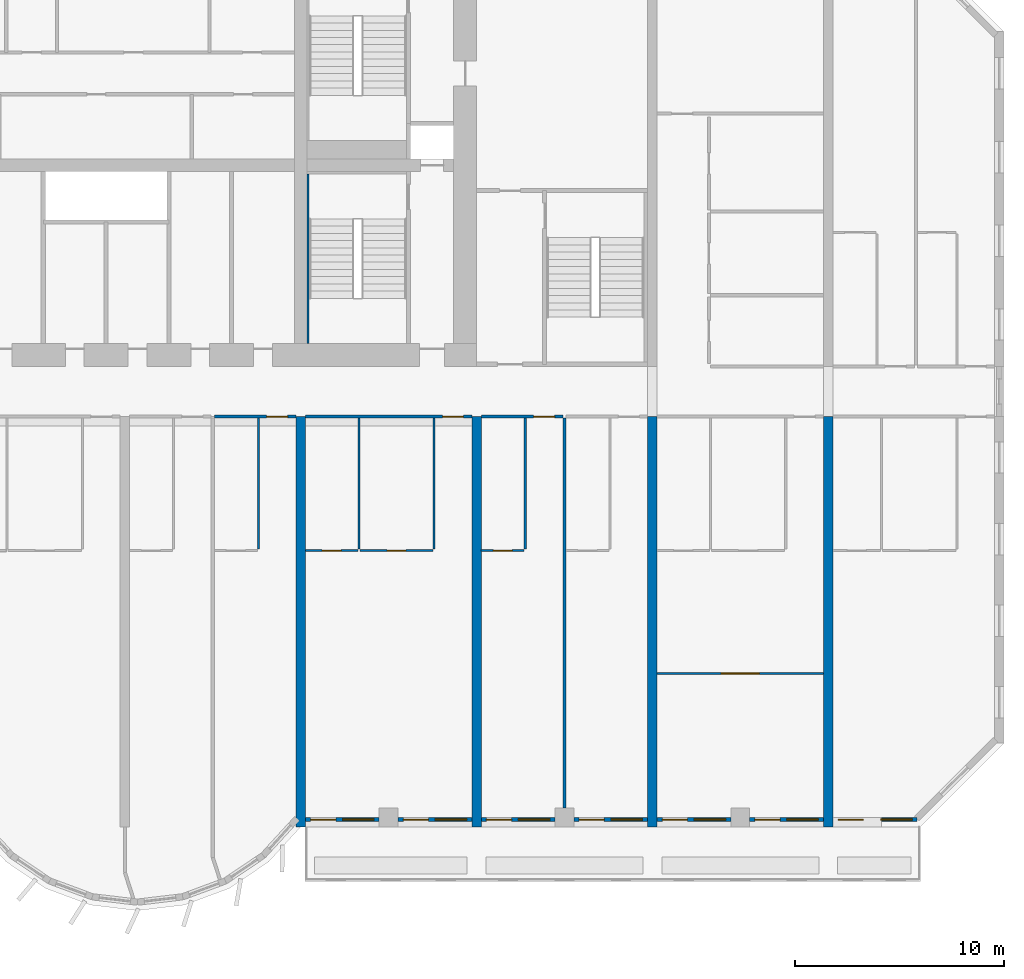
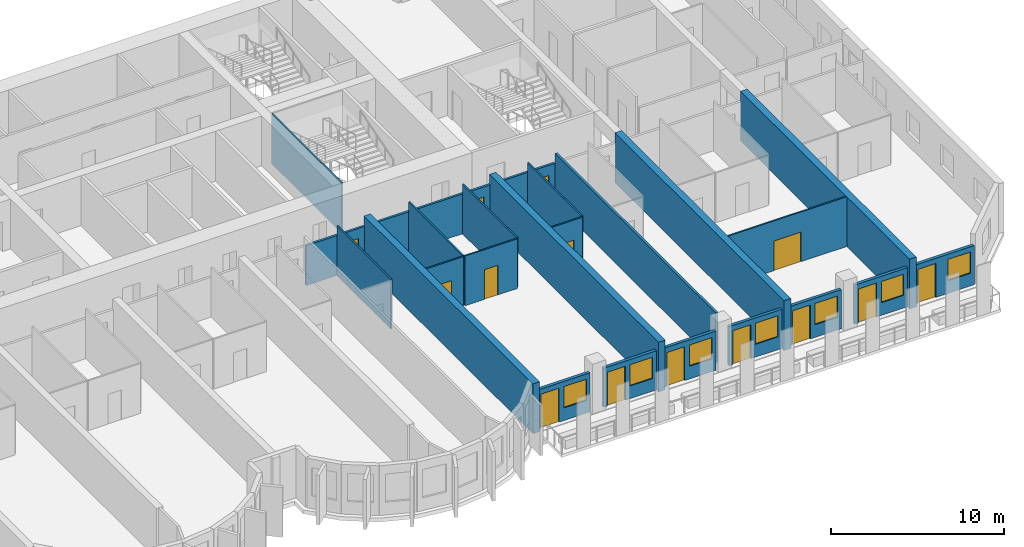
# One storey, part 8 of 15: 24 walls, 14 doors, 7 windows, 21 openings.
"""IFC4 building model written with IfcOpenShell, lengths in metres."""

from ifc_helpers import new_model, si_unit, direction, frame, frame_2d, origin, place, context, subcontext, project, spatial, rectangle, extrude, source, transform, mapped, material, layer, layer_set, type_object, element, fill, save


model = new_model("IFC4")

# Units and contexts
model_context = context("Model", 3, precision=1e-05, world=origin(), true_north=direction((0.0, 1.0)))
body_context = subcontext(model_context, "Body", "Model", "MODEL_VIEW")
ifc_project = project(units=[si_unit("LENGTHUNIT", "METRE"), si_unit("AREAUNIT", "SQUARE_METRE"), si_unit("VOLUMEUNIT", "CUBIC_METRE"), si_unit("PLANEANGLEUNIT", "RADIAN"), si_unit("MASSUNIT", "GRAM", prefix="KILO")], contexts=[model_context])

# Site, building, storey
site_placement = place(None, origin())
site = spatial("IfcSite", under=ifc_project, at=site_placement, CompositionType="ELEMENT")
building_placement = place(site_placement, origin())
building = spatial("IfcBuilding", under=site, at=building_placement, Name="Vanashikhar Sky Hotel", CompositionType="ELEMENT")
storey_placement = place(building_placement, frame((0.0, 0.0, 39.199951171875)))
storey = spatial("IfcBuildingStorey", under=building, at=storey_placement, Name="L08", CompositionType="ELEMENT", Elevation=39.199951171875)

# Walls
ifc_material_1 = material(Name="Concrete M80", Category="concrete")
ifc_layer_1 = layer(ifc_material_1, 0.449951171875)
ifc_layer_set_1 = layer_set([ifc_layer_1], Name="RC shear wall 450 Concrete M80")
wall_type_1 = type_object("IfcWallType", Name="RC shear wall 450 Concrete M80", PredefinedType="SHEAR", material=ifc_layer_set_1)
shared_shape_1 = source(origin(), body_context, "Body", "SweptSolid", [
    extrude(rectangle(XDim=19.60009765625, YDim=0.449951171875, at=frame_2d((9.800048828125, 0.0))), origin(), (0.0, 0.0, 1.0), 3.52001953125),
])
for number, where, z_axis, x_axis, name in (
    (1, (67.199951171875, 0.0, 0.0), (0.0, 0.0, 1.0), (0.0, 1.0, 0.0), "CW-L08-XW09-1"),
    (2, (75.60009765625, 0.0, 0.0), (0.0, 0.0, 1.0), (0.0, 1.0, 0.0), "CW-L08-XW10-1"),
    (3, (84.0, 0.0, 0.0), (0.0, 0.0, 1.0), (0.0, 1.0, 0.0), "CW-L08-XW11-1"),
    (4, (92.39990234375, 0.0, 0.0), (0.0, 0.0, 1.0), (0.0, 1.0, 0.0), "CW-L08-XW12-1"),
):
    element("IfcWall", number, at=place(storey_placement, frame(where, z_axis=z_axis, x_axis=x_axis)), inside=storey, type_object=wall_type_1, Name=name, PredefinedType="SHEAR", context=body_context, shape_type="MappedRepresentation", body=[
        mapped(shared_shape_1, transform((0.0, 0.0, 0.0), scale=1.0)),
    ])

# Wall, openings, window, door
ifc_material_2 = material(Name="Concrete M50", Category="concrete")
ifc_layer_2 = layer(ifc_material_2, 0.199951171875)
ifc_layer_set_2 = layer_set([ifc_layer_2], Name="Front window wall 200")
wall_type_2 = type_object("IfcWallType", Name="Front window wall 200", PredefinedType="SOLIDWALL", material=ifc_layer_set_2)
shared_shape_2 = source(origin(), body_context, "Body", "SweptSolid", [
    extrude(rectangle(XDim=4.030029296875, YDim=0.199951171875, at=frame_2d((2.01513671875, 0.0))), origin(), (0.0, 0.0, 1.0), 2.77001953125),
])
wall_1_placement = place(storey_placement, frame((92.625, 0.35009765625, 0.0), z_axis=(0.0, 0.0, 1.0), x_axis=(1.0, 0.0, 0.0)))
wall_1 = element("IfcWall", 5, at=wall_1_placement, inside=storey, type_object=wall_type_2, Name="Front window wall", PredefinedType="SOLIDWALL", context=body_context, shape_type="MappedRepresentation", body=[
    mapped(shared_shape_2, transform((0.0, 0.0, 0.0), scale=1.0)),
])
shared_shape_3 = source(origin(), body_context, "Body", "SweptSolid", [
    extrude(rectangle(XDim=1.199951171875, YDim=2.39990234375, at=frame_2d((0.60009765625, 1.199951171875))), frame((0.0, 0.10986328125, 0.0), z_axis=(0.0, -1.0, 0.0), x_axis=(1.0, 0.0, 0.0)), (0.0, 0.0, 1.0), 0.219970703125),
])
opening_1_placement = place(wall_1_placement, frame((0.25, 0.0, 0.0)))
opening_1 = element("IfcOpeningElement", 6, at=opening_1_placement, cuts=wall_1, Name="Opening BD-14", PredefinedType="OPENING", context=body_context, shape_type="MappedRepresentation", body=[
    mapped(shared_shape_3, transform((0.0, 0.0, 0.0), scale=1.0)),
])
shared_shape_4 = source(origin(), body_context, "Body", "SweptSolid", [
    extrude(rectangle(XDim=1.5, YDim=1.5, at=frame_2d((0.75, 0.75))), frame((0.0, 0.10986328125, 0.0), z_axis=(0.0, -1.0, 0.0), x_axis=(1.0, 0.0, 0.0)), (0.0, 0.0, 1.0), 0.219970703125),
])
opening_2_placement = place(wall_1_placement, frame((2.280029296875, 0.0, 0.89990234375)))
opening_2 = element("IfcOpeningElement", 7, at=opening_2_placement, cuts=wall_1, Name="Opening WN-1", PredefinedType="OPENING", context=body_context, shape_type="MappedRepresentation", body=[
    mapped(shared_shape_4, transform((0.0, 0.0, 0.0), scale=1.0)),
])
ifc_material_3 = material(Name="Glass", Category="glass")
window_type = type_object("IfcWindowType", Name="Window 1500 x 1500", PartitioningType="SINGLE_PANEL", PredefinedType="WINDOW", material=ifc_material_3)
shared_shape_5 = source(origin(), body_context, "Body", "SweptSolid", [
    extrude(rectangle(XDim=1.5, YDim=1.5, at=frame_2d((0.75, 0.75))), frame((0.0, 0.030029296875, 0.0), z_axis=(0.0, -1.0, 0.0), x_axis=(1.0, 0.0, 0.0)), (0.0, 0.0, 1.0), 0.06005859375),
])
window_1_placement = place(opening_2_placement, origin())
window_1 = element("IfcWindow", 8, at=window_1_placement, inside=storey, type_object=window_type, Name="Window WN-1", OverallHeight=1.5, OverallWidth=1.5, PartitioningType="SINGLE_PANEL", PredefinedType="WINDOW", context=body_context, shape_type="MappedRepresentation", body=[
    mapped(shared_shape_5, transform((0.0, 0.0, 0.0), scale=1.0)),
])
fill(opening_2, window_1)
ifc_material_4 = material(Name="Aluminium", Category="aluminium")
door_type_1 = type_object("IfcDoorType", Name="Balcony sliding door 1200 x 2400", OperationType="NOTDEFINED", PredefinedType="DOOR", material=ifc_material_4)
shared_shape_6 = source(origin(), body_context, "Body", "SweptSolid", [
    extrude(rectangle(XDim=1.199951171875, YDim=2.39990234375, at=frame_2d((0.60009765625, 1.199951171875))), frame((0.0, 0.02490234375, 0.0), z_axis=(0.0, -1.0, 0.0), x_axis=(1.0, 0.0, 0.0)), (0.0, 0.0, 1.0), 0.050048828125),
])
door_1_placement = place(opening_1_placement, origin())
door_1 = element("IfcDoor", 9, at=door_1_placement, inside=storey, type_object=door_type_1, Name="Balcony sliding door", OperationType="SLIDING_TO_RIGHT", OverallHeight=2.39990234375, OverallWidth=1.199951171875, PredefinedType="DOOR", context=body_context, shape_type="MappedRepresentation", body=[
    mapped(shared_shape_6, transform((0.0, 0.0, 0.0), scale=1.0)),
])
fill(opening_1, door_1)

shared_shape_7 = source(origin(), body_context, "Body", "SweptSolid", [
    extrude(rectangle(XDim=3.52490234375, YDim=0.199951171875, at=frame_2d((1.762451171875, 0.0))), origin(), (0.0, 0.0, 1.0), 2.77001953125),
])
wall_2_placement = place(storey_placement, frame((67.425048828125, 0.35009765625, 0.0), z_axis=(0.0, 0.0, 1.0), x_axis=(1.0, 0.0, 0.0)))
wall_2 = element("IfcWall", 10, at=wall_2_placement, inside=storey, type_object=wall_type_2, Name="Front window wall", PredefinedType="SOLIDWALL", context=body_context, shape_type="MappedRepresentation", body=[
    mapped(shared_shape_7, transform((0.0, 0.0, 0.0), scale=1.0)),
])
opening_3_placement = place(wall_2_placement, frame((0.25, 0.0, 0.0)))
opening_3 = element("IfcOpeningElement", 11, at=opening_3_placement, cuts=wall_2, Name="Opening BD-08", PredefinedType="OPENING", context=body_context, shape_type="MappedRepresentation", body=[
    mapped(shared_shape_3, transform((0.0, 0.0, 0.0), scale=1.0)),
])
opening_4_placement = place(wall_2_placement, frame((1.77490234375, 0.0, 0.89990234375)))
opening_4 = element("IfcOpeningElement", 12, at=opening_4_placement, cuts=wall_2, Name="Opening WN-1", PredefinedType="OPENING", context=body_context, shape_type="MappedRepresentation", body=[
    mapped(shared_shape_4, transform((0.0, 0.0, 0.0), scale=1.0)),
])
window_2_placement = place(opening_4_placement, origin())
window_2 = element("IfcWindow", 13, at=window_2_placement, inside=storey, type_object=window_type, Name="Window WN-1", OverallHeight=1.5, OverallWidth=1.5, PartitioningType="SINGLE_PANEL", PredefinedType="WINDOW", context=body_context, shape_type="MappedRepresentation", body=[
    mapped(shared_shape_5, transform((0.0, 0.0, 0.0), scale=1.0)),
])
fill(opening_4, window_2)
door_2_placement = place(opening_3_placement, origin())
door_2 = element("IfcDoor", 14, at=door_2_placement, inside=storey, type_object=door_type_1, Name="Balcony sliding door", OperationType="SLIDING_TO_RIGHT", OverallHeight=2.39990234375, OverallWidth=1.199951171875, PredefinedType="DOOR", context=body_context, shape_type="MappedRepresentation", body=[
    mapped(shared_shape_6, transform((0.0, 0.0, 0.0), scale=1.0)),
])
fill(opening_3, door_2)

wall_3_placement = place(storey_placement, frame((71.85009765625, 0.35009765625, 0.0), z_axis=(0.0, 0.0, 1.0), x_axis=(1.0, 0.0, 0.0)))
wall_3 = element("IfcWall", 15, at=wall_3_placement, inside=storey, type_object=wall_type_2, Name="Front window wall", PredefinedType="SOLIDWALL", context=body_context, shape_type="MappedRepresentation", body=[
    mapped(shared_shape_7, transform((0.0, 0.0, 0.0), scale=1.0)),
])
opening_5_placement = place(wall_3_placement, frame((0.25, 0.0, 0.0)))
opening_5 = element("IfcOpeningElement", 16, at=opening_5_placement, cuts=wall_3, Name="Opening BD-09", PredefinedType="OPENING", context=body_context, shape_type="MappedRepresentation", body=[
    mapped(shared_shape_3, transform((0.0, 0.0, 0.0), scale=1.0)),
])
opening_6_placement = place(wall_3_placement, frame((1.77490234375, 0.0, 0.89990234375)))
opening_6 = element("IfcOpeningElement", 17, at=opening_6_placement, cuts=wall_3, Name="Opening WN-1", PredefinedType="OPENING", context=body_context, shape_type="MappedRepresentation", body=[
    mapped(shared_shape_4, transform((0.0, 0.0, 0.0), scale=1.0)),
])
window_3_placement = place(opening_6_placement, origin())
window_3 = element("IfcWindow", 18, at=window_3_placement, inside=storey, type_object=window_type, Name="Window WN-1", OverallHeight=1.5, OverallWidth=1.5, PartitioningType="SINGLE_PANEL", PredefinedType="WINDOW", context=body_context, shape_type="MappedRepresentation", body=[
    mapped(shared_shape_5, transform((0.0, 0.0, 0.0), scale=1.0)),
])
fill(opening_6, window_3)
door_3_placement = place(opening_5_placement, origin())
door_3 = element("IfcDoor", 19, at=door_3_placement, inside=storey, type_object=door_type_1, Name="Balcony sliding door", OperationType="SLIDING_TO_LEFT", OverallHeight=2.39990234375, OverallWidth=1.199951171875, PredefinedType="DOOR", context=body_context, shape_type="MappedRepresentation", body=[
    mapped(shared_shape_6, transform((0.0, 0.0, 0.0), scale=1.0)),
])
fill(opening_5, door_3)

wall_4_placement = place(storey_placement, frame((80.25, 0.35009765625, 0.0), z_axis=(0.0, 0.0, 1.0), x_axis=(1.0, 0.0, 0.0)))
wall_4 = element("IfcWall", 20, at=wall_4_placement, inside=storey, type_object=wall_type_2, Name="Front window wall", PredefinedType="SOLIDWALL", context=body_context, shape_type="MappedRepresentation", body=[
    mapped(shared_shape_7, transform((0.0, 0.0, 0.0), scale=1.0)),
])
opening_7_placement = place(wall_4_placement, frame((0.25, 0.0, 0.0)))
opening_7 = element("IfcOpeningElement", 21, at=opening_7_placement, cuts=wall_4, Name="Opening BD-11", PredefinedType="OPENING", context=body_context, shape_type="MappedRepresentation", body=[
    mapped(shared_shape_3, transform((0.0, 0.0, 0.0), scale=1.0)),
])
opening_8_placement = place(wall_4_placement, frame((1.77490234375, 0.0, 0.89990234375)))
opening_8 = element("IfcOpeningElement", 22, at=opening_8_placement, cuts=wall_4, Name="Opening WN-1", PredefinedType="OPENING", context=body_context, shape_type="MappedRepresentation", body=[
    mapped(shared_shape_4, transform((0.0, 0.0, 0.0), scale=1.0)),
])
window_4_placement = place(opening_8_placement, origin())
window_4 = element("IfcWindow", 23, at=window_4_placement, inside=storey, type_object=window_type, Name="Window WN-1", OverallHeight=1.5, OverallWidth=1.5, PartitioningType="SINGLE_PANEL", PredefinedType="WINDOW", context=body_context, shape_type="MappedRepresentation", body=[
    mapped(shared_shape_5, transform((0.0, 0.0, 0.0), scale=1.0)),
])
fill(opening_8, window_4)
door_4_placement = place(opening_7_placement, origin())
door_4 = element("IfcDoor", 24, at=door_4_placement, inside=storey, type_object=door_type_1, Name="Balcony sliding door", OperationType="SLIDING_TO_LEFT", OverallHeight=2.39990234375, OverallWidth=1.199951171875, PredefinedType="DOOR", context=body_context, shape_type="MappedRepresentation", body=[
    mapped(shared_shape_6, transform((0.0, 0.0, 0.0), scale=1.0)),
])
fill(opening_7, door_4)

wall_5_placement = place(storey_placement, frame((84.22509765625, 0.35009765625, 0.0), z_axis=(0.0, 0.0, 1.0), x_axis=(1.0, 0.0, 0.0)))
wall_5 = element("IfcWall", 25, at=wall_5_placement, inside=storey, type_object=wall_type_2, Name="Front window wall", PredefinedType="SOLIDWALL", context=body_context, shape_type="MappedRepresentation", body=[
    mapped(shared_shape_7, transform((0.0, 0.0, 0.0), scale=1.0)),
])
opening_9_placement = place(wall_5_placement, frame((0.25, 0.0, 0.0)))
opening_9 = element("IfcOpeningElement", 26, at=opening_9_placement, cuts=wall_5, Name="Opening BD-12", PredefinedType="OPENING", context=body_context, shape_type="MappedRepresentation", body=[
    mapped(shared_shape_3, transform((0.0, 0.0, 0.0), scale=1.0)),
])
opening_10_placement = place(wall_5_placement, frame((1.77490234375, 0.0, 0.89990234375)))
opening_10 = element("IfcOpeningElement", 27, at=opening_10_placement, cuts=wall_5, Name="Opening WN-1", PredefinedType="OPENING", context=body_context, shape_type="MappedRepresentation", body=[
    mapped(shared_shape_4, transform((0.0, 0.0, 0.0), scale=1.0)),
])
window_5_placement = place(opening_10_placement, origin())
window_5 = element("IfcWindow", 28, at=window_5_placement, inside=storey, type_object=window_type, Name="Window WN-1", OverallHeight=1.5, OverallWidth=1.5, PartitioningType="SINGLE_PANEL", PredefinedType="WINDOW", context=body_context, shape_type="MappedRepresentation", body=[
    mapped(shared_shape_5, transform((0.0, 0.0, 0.0), scale=1.0)),
])
fill(opening_10, window_5)
door_5_placement = place(opening_9_placement, origin())
door_5 = element("IfcDoor", 29, at=door_5_placement, inside=storey, type_object=door_type_1, Name="Balcony sliding door", OperationType="SLIDING_TO_RIGHT", OverallHeight=2.39990234375, OverallWidth=1.199951171875, PredefinedType="DOOR", context=body_context, shape_type="MappedRepresentation", body=[
    mapped(shared_shape_6, transform((0.0, 0.0, 0.0), scale=1.0)),
])
fill(opening_9, door_5)

shared_shape_8 = source(origin(), body_context, "Body", "SweptSolid", [
    extrude(rectangle(XDim=3.525146484375, YDim=0.199951171875, at=frame_2d((1.7626953125, 0.0))), origin(), (0.0, 0.0, 1.0), 2.77001953125),
])
wall_6_placement = place(storey_placement, frame((75.824951171875, 0.35009765625, 0.0), z_axis=(0.0, 0.0, 1.0), x_axis=(1.0, 0.0, 0.0)))
wall_6 = element("IfcWall", 30, at=wall_6_placement, inside=storey, type_object=wall_type_2, Name="Front window wall", PredefinedType="SOLIDWALL", context=body_context, shape_type="MappedRepresentation", body=[
    mapped(shared_shape_8, transform((0.0, 0.0, 0.0), scale=1.0)),
])
opening_11_placement = place(wall_6_placement, frame((0.25, 0.0, 0.0)))
opening_11 = element("IfcOpeningElement", 31, at=opening_11_placement, cuts=wall_6, Name="Opening BD-10", PredefinedType="OPENING", context=body_context, shape_type="MappedRepresentation", body=[
    mapped(shared_shape_3, transform((0.0, 0.0, 0.0), scale=1.0)),
])
opening_12_placement = place(wall_6_placement, frame((1.77490234375, 0.0, 0.89990234375)))
opening_12 = element("IfcOpeningElement", 32, at=opening_12_placement, cuts=wall_6, Name="Opening WN-1", PredefinedType="OPENING", context=body_context, shape_type="MappedRepresentation", body=[
    mapped(shared_shape_4, transform((0.0, 0.0, 0.0), scale=1.0)),
])
window_6_placement = place(opening_12_placement, origin())
window_6 = element("IfcWindow", 33, at=window_6_placement, inside=storey, type_object=window_type, Name="Window WN-1", OverallHeight=1.5, OverallWidth=1.5, PartitioningType="SINGLE_PANEL", PredefinedType="WINDOW", context=body_context, shape_type="MappedRepresentation", body=[
    mapped(shared_shape_5, transform((0.0, 0.0, 0.0), scale=1.0)),
])
fill(opening_12, window_6)
door_6_placement = place(opening_11_placement, origin())
door_6 = element("IfcDoor", 34, at=door_6_placement, inside=storey, type_object=door_type_1, Name="Balcony sliding door", OperationType="SLIDING_TO_RIGHT", OverallHeight=2.39990234375, OverallWidth=1.199951171875, PredefinedType="DOOR", context=body_context, shape_type="MappedRepresentation", body=[
    mapped(shared_shape_6, transform((0.0, 0.0, 0.0), scale=1.0)),
])
fill(opening_11, door_6)

wall_7_placement = place(storey_placement, frame((88.64990234375, 0.35009765625, 0.0), z_axis=(0.0, 0.0, 1.0), x_axis=(1.0, 0.0, 0.0)))
wall_7 = element("IfcWall", 35, at=wall_7_placement, inside=storey, type_object=wall_type_2, Name="Front window wall", PredefinedType="SOLIDWALL", context=body_context, shape_type="MappedRepresentation", body=[
    mapped(shared_shape_8, transform((0.0, 0.0, 0.0), scale=1.0)),
])
opening_13_placement = place(wall_7_placement, frame((0.25, 0.0, 0.0)))
opening_13 = element("IfcOpeningElement", 36, at=opening_13_placement, cuts=wall_7, Name="Opening BD-13", PredefinedType="OPENING", context=body_context, shape_type="MappedRepresentation", body=[
    mapped(shared_shape_3, transform((0.0, 0.0, 0.0), scale=1.0)),
])
opening_14_placement = place(wall_7_placement, frame((1.77490234375, 0.0, 0.89990234375)))
opening_14 = element("IfcOpeningElement", 37, at=opening_14_placement, cuts=wall_7, Name="Opening WN-1", PredefinedType="OPENING", context=body_context, shape_type="MappedRepresentation", body=[
    mapped(shared_shape_4, transform((0.0, 0.0, 0.0), scale=1.0)),
])
window_7_placement = place(opening_14_placement, origin())
window_7 = element("IfcWindow", 38, at=window_7_placement, inside=storey, type_object=window_type, Name="Window WN-1", OverallHeight=1.5, OverallWidth=1.5, PartitioningType="SINGLE_PANEL", PredefinedType="WINDOW", context=body_context, shape_type="MappedRepresentation", body=[
    mapped(shared_shape_5, transform((0.0, 0.0, 0.0), scale=1.0)),
])
fill(opening_14, window_7)
door_7_placement = place(opening_13_placement, origin())
door_7 = element("IfcDoor", 39, at=door_7_placement, inside=storey, type_object=door_type_1, Name="Balcony sliding door", OperationType="SLIDING_TO_LEFT", OverallHeight=2.39990234375, OverallWidth=1.199951171875, PredefinedType="DOOR", context=body_context, shape_type="MappedRepresentation", body=[
    mapped(shared_shape_6, transform((0.0, 0.0, 0.0), scale=1.0)),
])
fill(opening_13, door_7)

# Wall
ifc_layer_3 = layer(ifc_material_2, 0.10009765625)
ifc_layer_set_3 = layer_set([ifc_layer_3], Name="Stair infill wall 100")
wall_type_3 = type_object("IfcWallType", Name="Stair infill wall 100", PredefinedType="SOLIDWALL", material=ifc_layer_set_3)
shared_shape_9 = source(origin(), body_context, "Body", "SweptSolid", [
    extrude(rectangle(XDim=8.099853515625, YDim=0.10009765625, at=frame_2d((4.0498046875, 0.0))), origin(), (0.0, 0.0, 1.0), 3.52001953125),
])
wall_8_placement = place(storey_placement, frame((67.550048828125, 23.10009765625, 0.0), z_axis=(0.0, 0.0, 1.0), x_axis=(0.0, 1.0, 0.0)))
element("IfcWall", 40, at=wall_8_placement, inside=storey, type_object=wall_type_3, Name="Stair infill wall 100", PredefinedType="SOLIDWALL", context=body_context, shape_type="MappedRepresentation", body=[
    mapped(shared_shape_9, transform((0.0, 0.0, 0.0), scale=1.0)),
])

# Wall, opening, door
ifc_material_5 = material(Name="Gypsum plasterboard partition")
ifc_layer_4 = layer(ifc_material_5, 0.10009765625)
ifc_layer_set_4 = layer_set([ifc_layer_4], Name="Wet room partition 100")
wall_type_4 = type_object("IfcWallType", Name="Wet room partition 100", PredefinedType="PARTITIONING", material=ifc_layer_set_4)
shared_shape_10 = source(origin(), body_context, "Body", "SweptSolid", [
    extrude(rectangle(XDim=2.050048828125, YDim=0.10009765625, at=frame_2d((1.02490234375, 0.0))), origin(), (0.0, 0.0, 1.0), 3.52001953125),
])
wall_9_placement = place(storey_placement, frame((75.824951171875, 13.199951171875, 0.0), z_axis=(0.0, 0.0, 1.0), x_axis=(1.0, 0.0, 0.0)))
wall_9 = element("IfcWall", 41, at=wall_9_placement, inside=storey, type_object=wall_type_4, Name="W-L08-PW051", PredefinedType="PARTITIONING", context=body_context, shape_type="MappedRepresentation", body=[
    mapped(shared_shape_10, transform((0.0, 0.0, 0.0), scale=1.0)),
])
shared_shape_11 = source(origin(), body_context, "Body", "SweptSolid", [
    extrude(rectangle(XDim=0.89990234375, YDim=2.10009765625, at=frame_2d((0.449951171875, 1.050048828125))), frame((0.0, 0.06005859375, 0.0), z_axis=(0.0, -1.0, 0.0), x_axis=(1.0, 0.0, 0.0)), (0.0, 0.0, 1.0), 0.1201171875),
])
opening_15_placement = place(wall_9_placement, frame((0.574951171875, 0.0, 0.0)))
opening_15 = element("IfcOpeningElement", 42, at=opening_15_placement, cuts=wall_9, Name="Opening D-02", PredefinedType="OPENING", context=body_context, shape_type="MappedRepresentation", body=[
    mapped(shared_shape_11, transform((0.0, 0.0, 0.0), scale=1.0)),
])
ifc_material_6 = material(Name="Timber door", Category="wood")
door_type_2 = type_object("IfcDoorType", Name="Internal door 900", OperationType="NOTDEFINED", PredefinedType="DOOR", material=ifc_material_6)
shared_shape_12 = source(origin(), body_context, "Body", "SweptSolid", [
    extrude(rectangle(XDim=0.89990234375, YDim=2.10009765625, at=frame_2d((0.449951171875, 1.050048828125))), frame((0.0, 0.02490234375, 0.0), z_axis=(0.0, -1.0, 0.0), x_axis=(1.0, 0.0, 0.0)), (0.0, 0.0, 1.0), 0.050048828125),
])
door_8_placement = place(opening_15_placement, origin())
door_8 = element("IfcDoor", 43, at=door_8_placement, inside=storey, type_object=door_type_2, Name="D-L08-030", OperationType="SINGLE_SWING_RIGHT", OverallHeight=2.10009765625, OverallWidth=0.89990234375, PredefinedType="DOOR", context=body_context, shape_type="MappedRepresentation", body=[
    mapped(shared_shape_12, transform((0.0, 0.0, 0.0), scale=1.0)),
])
fill(opening_15, door_8)

ifc_layer_5 = layer(ifc_material_5, 0.14990234375)
ifc_layer_set_5 = layer_set([ifc_layer_5], Name="Corridor and demising partition 150")
wall_type_5 = type_object("IfcWallType", Name="Corridor and demising partition 150", PredefinedType="PARTITIONING", material=ifc_layer_set_5)
shared_shape_13 = source(origin(), body_context, "Body", "SweptSolid", [
    extrude(rectangle(XDim=3.900146484375, YDim=0.14990234375, at=frame_2d((1.9501953125, 0.0))), origin(), (0.0, 0.0, 1.0), 2.820068359375),
])
wall_10_placement = place(storey_placement, frame((63.074951171875, 19.60009765625, 0.0), z_axis=(0.0, 0.0, 1.0), x_axis=(1.0, 0.0, 0.0)))
wall_10 = element("IfcWall", 44, at=wall_10_placement, inside=storey, type_object=wall_type_5, Name="W-L08-PW043", PredefinedType="PARTITIONING", context=body_context, shape_type="MappedRepresentation", body=[
    mapped(shared_shape_13, transform((0.0, 0.0, 0.0), scale=1.0)),
])
shared_shape_14 = source(origin(), body_context, "Body", "SweptSolid", [
    extrude(rectangle(XDim=1.0, YDim=2.10009765625, at=frame_2d((0.5, 1.050048828125))), frame((0.0, 0.0849609375, 0.0), z_axis=(0.0, -1.0, 0.0), x_axis=(1.0, 0.0, 0.0)), (0.0, 0.0, 1.0), 0.169921875),
])
opening_16_placement = place(wall_10_placement, frame((2.5, 0.0, 0.0)))
opening_16 = element("IfcOpeningElement", 45, at=opening_16_placement, cuts=wall_10, Name="Opening D-01", PredefinedType="OPENING", context=body_context, shape_type="MappedRepresentation", body=[
    mapped(shared_shape_14, transform((0.0, 0.0, 0.0), scale=1.0)),
])
ifc_material_7 = material(Name="Timber fire door", Category="wood")
door_type_3 = type_object("IfcDoorType", Name="Guest entry door 1000 FD30S", OperationType="NOTDEFINED", PredefinedType="DOOR", material=ifc_material_7)
shared_shape_15 = source(origin(), body_context, "Body", "SweptSolid", [
    extrude(rectangle(XDim=1.0, YDim=2.10009765625, at=frame_2d((0.5, 1.050048828125))), frame((0.0, 0.02490234375, 0.0), z_axis=(0.0, -1.0, 0.0), x_axis=(1.0, 0.0, 0.0)), (0.0, 0.0, 1.0), 0.050048828125),
])
door_9_placement = place(opening_16_placement, origin())
door_9 = element("IfcDoor", 46, at=door_9_placement, inside=storey, type_object=door_type_3, Name="D-L08-026", OperationType="SINGLE_SWING_RIGHT", OverallHeight=2.10009765625, OverallWidth=1.0, PredefinedType="DOOR", context=body_context, shape_type="MappedRepresentation", body=[
    mapped(shared_shape_15, transform((0.0, 0.0, 0.0), scale=1.0)),
])
fill(opening_16, door_9)

wall_11_placement = place(storey_placement, frame((75.824951171875, 19.60009765625, 0.0), z_axis=(0.0, 0.0, 1.0), x_axis=(1.0, 0.0, 0.0)))
wall_11 = element("IfcWall", 47, at=wall_11_placement, inside=storey, type_object=wall_type_5, Name="W-L08-PW052", PredefinedType="PARTITIONING", context=body_context, shape_type="MappedRepresentation", body=[
    mapped(shared_shape_13, transform((0.0, 0.0, 0.0), scale=1.0)),
])
opening_17_placement = place(wall_11_placement, frame((2.5, 0.0, 0.0)))
opening_17 = element("IfcOpeningElement", 48, at=opening_17_placement, cuts=wall_11, Name="Opening D-01", PredefinedType="OPENING", context=body_context, shape_type="MappedRepresentation", body=[
    mapped(shared_shape_14, transform((0.0, 0.0, 0.0), scale=1.0)),
])
door_10_placement = place(opening_17_placement, origin())
door_10 = element("IfcDoor", 49, at=door_10_placement, inside=storey, type_object=door_type_3, Name="D-L08-031", OperationType="SINGLE_SWING_RIGHT", OverallHeight=2.10009765625, OverallWidth=1.0, PredefinedType="DOOR", context=body_context, shape_type="MappedRepresentation", body=[
    mapped(shared_shape_15, transform((0.0, 0.0, 0.0), scale=1.0)),
])
fill(opening_17, door_10)

# Wall
shared_shape_16 = source(origin(), body_context, "Body", "SweptSolid", [
    extrude(rectangle(XDim=18.625, YDim=0.14990234375, at=frame_2d((9.3125, 0.0))), origin(), (0.0, 0.0, 1.0), 3.52001953125),
])
wall_12_placement = place(storey_placement, frame((79.800048828125, 0.89990234375, 0.0), z_axis=(0.0, 0.0, 1.0), x_axis=(0.0, 1.0, 0.0)))
element("IfcWall", 50, at=wall_12_placement, inside=storey, type_object=wall_type_5, Name="W-L08-PW056", PredefinedType="PARTITIONING", context=body_context, shape_type="MappedRepresentation", body=[
    mapped(shared_shape_16, transform((0.0, 0.0, 0.0), scale=1.0)),
])

# Wall, opening, door
shared_shape_17 = source(origin(), body_context, "Body", "SweptSolid", [
    extrude(rectangle(XDim=3.5, YDim=0.10009765625, at=frame_2d((1.75, 0.0))), origin(), (0.0, 0.0, 1.0), 3.52001953125),
])
wall_13_placement = place(storey_placement, frame((70.02490234375, 13.199951171875, 0.0), z_axis=(0.0, 0.0, 1.0), x_axis=(1.0, 0.0, 0.0)))
wall_13 = element("IfcWall", 51, at=wall_13_placement, inside=storey, type_object=wall_type_4, Name="W-L08-PW047", PredefinedType="PARTITIONING", context=body_context, shape_type="MappedRepresentation", body=[
    mapped(shared_shape_17, transform((0.0, 0.0, 0.0), scale=1.0)),
])
opening_18_placement = place(wall_13_placement, frame((1.300048828125, 0.0, 0.0)))
opening_18 = element("IfcOpeningElement", 52, at=opening_18_placement, cuts=wall_13, Name="Opening D-02", PredefinedType="OPENING", context=body_context, shape_type="MappedRepresentation", body=[
    mapped(shared_shape_11, transform((0.0, 0.0, 0.0), scale=1.0)),
])
door_11_placement = place(opening_18_placement, origin())
door_11 = element("IfcDoor", 53, at=door_11_placement, inside=storey, type_object=door_type_2, Name="D-L08-027", OperationType="SINGLE_SWING_RIGHT", OverallHeight=2.10009765625, OverallWidth=0.89990234375, PredefinedType="DOOR", context=body_context, shape_type="MappedRepresentation", body=[
    mapped(shared_shape_12, transform((0.0, 0.0, 0.0), scale=1.0)),
])
fill(opening_18, door_11)

# Walls
shared_shape_18 = source(origin(), body_context, "Body", "SweptSolid", [
    extrude(rectangle(XDim=6.25, YDim=0.10009765625, at=frame_2d((3.125, 0.0))), origin(), (0.0, 0.0, 1.0), 3.52001953125),
])
for number, where, z_axis, x_axis, name in (
    (54, (65.175048828125, 13.27490234375, 0.0), (0.0, 0.0, 1.0), (0.0, 1.0, 0.0), "W-L08-PW041"),
    (55, (73.574951171875, 13.27490234375, 0.0), (0.0, 0.0, 1.0), (0.0, 1.0, 0.0), "W-L08-PW045"),
    (56, (69.97509765625, 13.27490234375, 0.0), (0.0, 0.0, 1.0), (0.0, 1.0, 0.0), "W-L08-PW046"),
    (57, (77.925048828125, 13.27490234375, 0.0), (0.0, 0.0, 1.0), (0.0, 1.0, 0.0), "W-L08-PW050"),
):
    element("IfcWall", number, at=place(storey_placement, frame(where, z_axis=z_axis, x_axis=x_axis)), inside=storey, type_object=wall_type_4, Name=name, PredefinedType="PARTITIONING", context=body_context, shape_type="MappedRepresentation", body=[
        mapped(shared_shape_18, transform((0.0, 0.0, 0.0), scale=1.0)),
    ])

# Wall, opening, door
shared_shape_19 = source(origin(), body_context, "Body", "SweptSolid", [
    extrude(rectangle(XDim=2.5, YDim=0.10009765625, at=frame_2d((1.25, 0.0))), origin(), (0.0, 0.0, 1.0), 3.52001953125),
])
wall_14_placement = place(storey_placement, frame((67.425048828125, 13.199951171875, 0.0), z_axis=(0.0, 0.0, 1.0), x_axis=(1.0, 0.0, 0.0)))
wall_14 = element("IfcWall", 58, at=wall_14_placement, inside=storey, type_object=wall_type_4, Name="W-L08-PW048", PredefinedType="PARTITIONING", context=body_context, shape_type="MappedRepresentation", body=[
    mapped(shared_shape_19, transform((0.0, 0.0, 0.0), scale=1.0)),
])
opening_19_placement = place(wall_14_placement, frame((0.800048828125, 0.0, 0.0)))
opening_19 = element("IfcOpeningElement", 59, at=opening_19_placement, cuts=wall_14, Name="Opening D-02", PredefinedType="OPENING", context=body_context, shape_type="MappedRepresentation", body=[
    mapped(shared_shape_11, transform((0.0, 0.0, 0.0), scale=1.0)),
])
door_12_placement = place(opening_19_placement, origin())
door_12 = element("IfcDoor", 60, at=door_12_placement, inside=storey, type_object=door_type_2, Name="D-L08-028", OperationType="SINGLE_SWING_RIGHT", OverallHeight=2.10009765625, OverallWidth=0.89990234375, PredefinedType="DOOR", context=body_context, shape_type="MappedRepresentation", body=[
    mapped(shared_shape_12, transform((0.0, 0.0, 0.0), scale=1.0)),
])
fill(opening_19, door_12)

shared_shape_20 = source(origin(), body_context, "Body", "SweptSolid", [
    extrude(rectangle(XDim=7.949951171875, YDim=0.14990234375, at=frame_2d((3.97509765625, 0.0))), origin(), (0.0, 0.0, 1.0), 2.820068359375),
])
wall_15_placement = place(storey_placement, frame((67.425048828125, 19.60009765625, 0.0), z_axis=(0.0, 0.0, 1.0), x_axis=(1.0, 0.0, 0.0)))
wall_15 = element("IfcWall", 61, at=wall_15_placement, inside=storey, type_object=wall_type_5, Name="W-L08-PW049", PredefinedType="PARTITIONING", context=body_context, shape_type="MappedRepresentation", body=[
    mapped(shared_shape_20, transform((0.0, 0.0, 0.0), scale=1.0)),
])
opening_20_placement = place(wall_15_placement, frame((6.550048828125, 0.0, 0.0)))
opening_20 = element("IfcOpeningElement", 62, at=opening_20_placement, cuts=wall_15, Name="Opening D-01", PredefinedType="OPENING", context=body_context, shape_type="MappedRepresentation", body=[
    mapped(shared_shape_14, transform((0.0, 0.0, 0.0), scale=1.0)),
])
door_13_placement = place(opening_20_placement, origin())
door_13 = element("IfcDoor", 63, at=door_13_placement, inside=storey, type_object=door_type_3, Name="D-L08-029", OperationType="SINGLE_SWING_RIGHT", OverallHeight=2.10009765625, OverallWidth=1.0, PredefinedType="DOOR", context=body_context, shape_type="MappedRepresentation", body=[
    mapped(shared_shape_15, transform((0.0, 0.0, 0.0), scale=1.0)),
])
fill(opening_20, door_13)

shared_shape_21 = source(origin(), body_context, "Body", "SweptSolid", [
    extrude(rectangle(XDim=7.949951171875, YDim=0.10009765625, at=frame_2d((3.97509765625, 0.0))), origin(), (0.0, 0.0, 1.0), 3.52001953125),
])
wall_16_placement = place(storey_placement, frame((84.22509765625, 7.326904296875, 0.0), z_axis=(0.0, 0.0, 1.0), x_axis=(1.0, 0.0, 0.0)))
wall_16 = element("IfcWall", 64, at=wall_16_placement, inside=storey, type_object=wall_type_4, Name="W-L08-PW061", PredefinedType="PARTITIONING", context=body_context, shape_type="MappedRepresentation", body=[
    mapped(shared_shape_21, transform((0.0, 0.0, 0.0), scale=1.0)),
])
shared_shape_22 = source(origin(), body_context, "Body", "SweptSolid", [
    extrude(rectangle(XDim=1.800048828125, YDim=2.10009765625, at=frame_2d((0.89990234375, 1.050048828125))), frame((0.0, 0.06005859375, 0.0), z_axis=(0.0, -1.0, 0.0), x_axis=(1.0, 0.0, 0.0)), (0.0, 0.0, 1.0), 0.1201171875),
])
opening_21_placement = place(wall_16_placement, frame((3.074951171875, 0.0, 0.0)))
opening_21 = element("IfcOpeningElement", 65, at=opening_21_placement, cuts=wall_16, Name="Opening D-08", PredefinedType="OPENING", context=body_context, shape_type="MappedRepresentation", body=[
    mapped(shared_shape_22, transform((0.0, 0.0, 0.0), scale=1.0)),
])
door_type_4 = type_object("IfcDoorType", Name="Double leaf door 1800", OperationType="NOTDEFINED", PredefinedType="DOOR", material=ifc_material_6)
shared_shape_23 = source(origin(), body_context, "Body", "SweptSolid", [
    extrude(rectangle(XDim=1.800048828125, YDim=2.10009765625, at=frame_2d((0.89990234375, 1.050048828125))), frame((0.0, 0.02490234375, 0.0), z_axis=(0.0, -1.0, 0.0), x_axis=(1.0, 0.0, 0.0)), (0.0, 0.0, 1.0), 0.050048828125),
])
door_14_placement = place(opening_21_placement, origin())
door_14 = element("IfcDoor", 66, at=door_14_placement, inside=storey, type_object=door_type_4, Name="D-L08-036", OperationType="DOUBLE_DOOR_SINGLE_SWING", OverallHeight=2.10009765625, OverallWidth=1.800048828125, PredefinedType="DOOR", context=body_context, shape_type="MappedRepresentation", body=[
    mapped(shared_shape_23, transform((0.0, 0.0, 0.0), scale=1.0)),
])
fill(opening_21, door_14)

save(model, "model.ifc")
